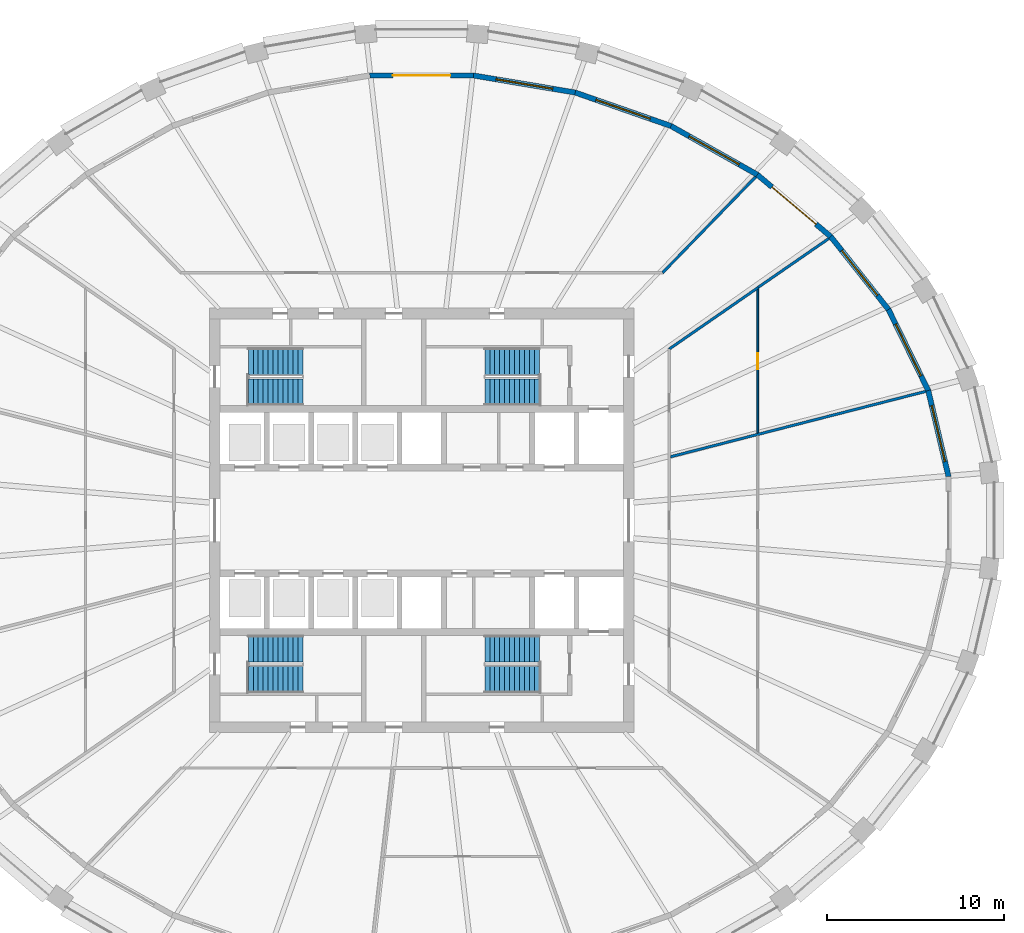
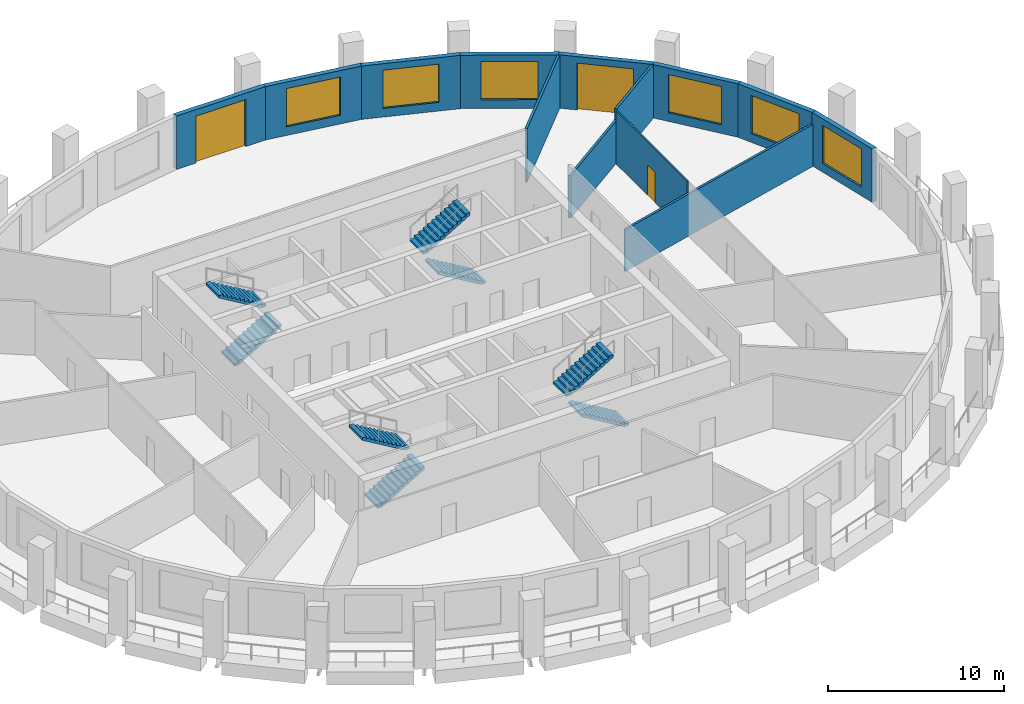
# One storey, part 7 of 10: 13 walls, 8 stair flights, 6 windows, 3 doors, 9 openings, 4 elements without a shape of their own.
"""IFC4 building model written with IfcOpenShell, lengths in metres."""

import ifcopenshell
import ifcopenshell.guid

model = None  # the IFC model being written
_history = None  # IfcOwnerHistory: only IFC2X3 demands one
_inside = {}  # id of a spatial element -> (the spatial element, [elements in it])
_under = {}  # id of a project, library or spatial element -> (it, [spatial elements below it])
_declared = {}  # id of a project -> (the project, [libraries it declares])
_typed = {}  # id of a type object -> (the type object, [elements of that type])
_made_of = {}  # id of a material, layer set ... -> (it, [elements and type objects made of it])


def new_model(schema):
    """Start an empty IFC model of exactly this schema.

    Asked for "IFC4X3", IfcOpenShell would pick the latest addendum, in which some entities
    have other attributes; the version numbers below select the first issue.
    IFC2X3 requires an IfcOwnerHistory on every rooted entity: one is made here for all.
    """
    global model, _history
    if schema == "IFC4X3":
        model = ifcopenshell.file(schema_version=(4, 3, 0, 0))
    else:
        model = ifcopenshell.file(schema=schema)
    _inside.clear()
    _under.clear()
    _declared.clear()
    _typed.clear()
    _made_of.clear()
    _history = None
    if model.schema == "IFC2X3":
        org = make("IfcOrganization", Name="unknown")
        user = make(
            "IfcPersonAndOrganization",
            ThePerson=make("IfcPerson", FamilyName="unknown"),
            TheOrganization=org,
        )
        app = make(
            "IfcApplication",
            ApplicationDeveloper=org,
            Version="unknown",
            ApplicationFullName="unknown",
            ApplicationIdentifier="unknown",
        )
        _history = make(
            "IfcOwnerHistory",
            OwningUser=user,
            OwningApplication=app,
            ChangeAction="ADDED",
            CreationDate=0,
        )
    return model


def make(cls, **values):
    """One entity of the class cls with the attributes given. An attribute that is None is left unset."""
    return model.create_entity(
        cls, **{name: value for name, value in values.items() if value is not None}
    )


def rooted(cls, **values):
    """An entity with a GlobalId (a new one), such as an element, a storey or a relation."""
    return make(cls, GlobalId=ifcopenshell.guid.new(), OwnerHistory=_history, **values)


def si_unit(unit_type, name, prefix=None):
    """IfcSIUnit, for example si_unit("LENGTHUNIT", "METRE", prefix="MILLI")."""
    return make("IfcSIUnit", UnitType=unit_type, Prefix=prefix, Name=name)


def assignment(units):
    """IfcUnitAssignment: the units of a project."""
    return None if units is None else make("IfcUnitAssignment", Units=units)


def point(xyz):
    """IfcCartesianPoint."""
    return None if xyz is None else make("IfcCartesianPoint", Coordinates=xyz)


def direction(xyz):
    """IfcDirection."""
    return None if xyz is None else make("IfcDirection", DirectionRatios=xyz)


def frame(location, z_axis=None, x_axis=None):
    """IfcAxis2Placement3D, a coordinate frame: its origin and axes. An axis left out is left unset."""
    return make(
        "IfcAxis2Placement3D",
        Location=point(location),
        Axis=direction(z_axis),
        RefDirection=direction(x_axis),
    )


def frame_2d(location, x_axis=None):
    """IfcAxis2Placement2D, a coordinate frame in the plane: its origin and x axis."""
    return make(
        "IfcAxis2Placement2D", Location=point(location), RefDirection=direction(x_axis)
    )


def origin():
    """The frame at (0, 0, 0) with its axes left unset."""
    return frame((0.0, 0.0, 0.0))


def place(relative_to, where):
    """IfcLocalPlacement: puts the frame where relative to a parent placement (None: the world)."""
    return make(
        "IfcLocalPlacement", PlacementRelTo=relative_to, RelativePlacement=where
    )


def context(
    kind, dimensions, precision=None, world=None, true_north=None, identifier=None
):
    """IfcGeometricRepresentationContext, for example the 3D "Model" context."""
    return make(
        "IfcGeometricRepresentationContext",
        ContextIdentifier=identifier,
        ContextType=kind,
        CoordinateSpaceDimension=dimensions,
        Precision=precision,
        WorldCoordinateSystem=world,
        TrueNorth=true_north,
    )


def subcontext(parent, identifier, kind, view, scale=None):
    """IfcGeometricRepresentationSubContext, for example "Body" below "Model"."""
    return make(
        "IfcGeometricRepresentationSubContext",
        ContextIdentifier=identifier,
        ContextType=kind,
        ParentContext=parent,
        TargetScale=scale,
        TargetView=view,
    )


def project(units=None, contexts=None):
    """IfcProject with its units and contexts."""
    return rooted(
        "IfcProject",
        Name="project",
        RepresentationContexts=contexts,
        UnitsInContext=assignment(units),
    )


def spatial(cls, under=None, at=None, **own):
    """A site, building, storey or space (cls), placed at a placement, below another one or the project."""
    s = rooted(cls, ObjectPlacement=at, **own)
    if under is not None:
        _under.setdefault(under.id(), (under, []))[1].append(s)
    return s


def polyline(points):
    """IfcPolyline through the points."""
    return make("IfcPolyline", Points=[point(p) for p in points])


def profile(cls, at=None, kind="AREA", **sizes):
    """A parametric profile (cls). Its sizes go by their IFC names, for example OverallWidth=200.0."""
    return make(cls, ProfileType=kind, Position=at, **sizes)


def rectangle(**sizes):
    """IfcRectangleProfileDef."""
    return profile("IfcRectangleProfileDef", **sizes)


def outline(outer, holes=None, kind="AREA"):
    """IfcArbitraryClosedProfileDef: a profile drawn as a closed curve; with holes, ...WithVoids."""
    if holes is None:
        return make("IfcArbitraryClosedProfileDef", ProfileType=kind, OuterCurve=outer)
    return make(
        "IfcArbitraryProfileDefWithVoids",
        ProfileType=kind,
        OuterCurve=outer,
        InnerCurves=holes,
    )


def extrude(swept, where, along, depth):
    """IfcExtrudedAreaSolid: the profile swept, set in the frame where, extruded along a direction by depth."""
    return make(
        "IfcExtrudedAreaSolid",
        SweptArea=swept,
        Position=where,
        ExtrudedDirection=direction(along),
        Depth=depth,
    )


def shape(context_of_items, identifier, shape_type, items):
    """IfcShapeRepresentation: the items that make up one representation, for example the "Body"."""
    return make(
        "IfcShapeRepresentation",
        ContextOfItems=context_of_items,
        RepresentationIdentifier=identifier,
        RepresentationType=shape_type,
        Items=items,
    )


def material(Name=None, Category=None):
    """IfcMaterial."""
    return make("IfcMaterial", Name=Name, Category=Category)


def layer(
    of_material, thickness, ventilated=None, Name=None, Category=None, Priority=None
):
    """IfcMaterialLayer: one layer of a wall or slab, of a material (None: an air gap)."""
    return make(
        "IfcMaterialLayer",
        Material=of_material,
        LayerThickness=thickness,
        IsVentilated=ventilated,
        Name=Name,
        Category=Category,
        Priority=Priority,
    )


def layer_set(layers, Name=None):
    """IfcMaterialLayerSet."""
    return make("IfcMaterialLayerSet", MaterialLayers=layers, LayerSetName=Name)


def made_of(thing, what):
    """Note that an element or type object is made of a material, layer set ...; save() writes the relation."""
    if what is not None:
        _made_of.setdefault(what.id(), (what, []))[1].append(thing)
    return thing


def type_object(cls, material=None, **own):
    """A type object (cls), such as IfcWallType, which elements share."""
    return made_of(rooted(cls, **own), material)


def element(
    cls,
    number,
    at=None,
    inside=None,
    cuts=None,
    type_object=None,
    material=None,
    context=None,
    identifier="Body",
    shape_type=None,
    held_by="IfcProductDefinitionShape",
    body=None,
    shapes=None,
    **own,
):
    """One element of the class cls, such as IfcWall. Its Tag is "e" and its number.

    at: its placement. inside: the storey or other place that contains it. cuts: it is an
    opening in that element (IfcRelVoidsElement). A single representation is given by context,
    identifier, shape_type and body (its items); several are given by shapes. held_by: the class
    of the entity that holds the representations. save() writes the other relations.
    """
    e = rooted(cls, Tag="e%d" % number, ObjectPlacement=at, **own)
    if body is not None:
        shapes = [shape(context, identifier, shape_type, body)]
    if shapes is not None:
        e.Representation = make(held_by, Representations=shapes)
    if inside is not None:
        _inside.setdefault(inside.id(), (inside, []))[1].append(e)
    if cuts is not None:
        rooted(
            "IfcRelVoidsElement", RelatingBuildingElement=cuts, RelatedOpeningElement=e
        )
    if type_object is not None:
        _typed.setdefault(type_object.id(), (type_object, []))[1].append(e)
    return made_of(e, material)


def fill(opening, filler):
    """IfcRelFillsElement: the door or window that sits in an opening."""
    return rooted(
        "IfcRelFillsElement",
        RelatingOpeningElement=opening,
        RelatedBuildingElement=filler,
    )


def aggregate(whole, parts):
    """IfcRelAggregates: a whole, such as a stair, and the parts it consists of."""
    return rooted("IfcRelAggregates", RelatingObject=whole, RelatedObjects=parts)


def save(model, path):
    """Write the relations noted so far, then the file.

    IfcRelAggregates (storeys below a building ...), IfcRelContainedInSpatialStructure (elements
    in a storey), IfcRelDefinesByType, IfcRelAssociatesMaterial and IfcRelDeclares: one each for
    every whole, place, type object, material and project.
    """
    for whole, parts in _under.values():
        aggregate(whole, parts)
    for where, things in _inside.values():
        rooted(
            "IfcRelContainedInSpatialStructure",
            RelatedElements=things,
            RelatingStructure=where,
        )
    for kind, things in _typed.values():
        rooted("IfcRelDefinesByType", RelatedObjects=things, RelatingType=kind)
    for what, things in _made_of.values():
        rooted("IfcRelAssociatesMaterial", RelatedObjects=things, RelatingMaterial=what)
    for by, libraries in _declared.values():
        rooted("IfcRelDeclares", RelatingContext=by, RelatedDefinitions=libraries)
    model.write(path)


model = new_model("IFC4")

# Units and contexts
model_context = context("Model", 3, precision=1e-05, world=origin(), true_north=direction((0.0, 1.0)))
body_context = subcontext(model_context, "Body", "Model", "MODEL_VIEW")
ifc_project = project(units=[si_unit("LENGTHUNIT", "METRE"), si_unit("AREAUNIT", "SQUARE_METRE"), si_unit("VOLUMEUNIT", "CUBIC_METRE"), si_unit("PLANEANGLEUNIT", "RADIAN"), si_unit("MASSUNIT", "GRAM", prefix="KILO")], contexts=[model_context])

# Site, building, storey
site_placement = place(None, origin())
site = spatial("IfcSite", under=ifc_project, at=site_placement, CompositionType="ELEMENT")
building_placement = place(site_placement, origin())
building = spatial("IfcBuilding", under=site, at=building_placement, Name="Halqa Exchange Tower", CompositionType="ELEMENT")
storey_placement = place(building_placement, frame((0.0, 0.0, 198.89990234375)))
storey = spatial("IfcBuildingStorey", under=building, at=storey_placement, Name="L45", CompositionType="ELEMENT", Elevation=198.89990234375)

# Walls
ifc_material_1 = material(Name="Fire-rated gypsum board")
ifc_layer_1 = layer(ifc_material_1, 0.14990234375)
ifc_layer_set_1 = layer_set([ifc_layer_1], Name="Fire-rated gypsum board")
wall_type_1 = type_object("IfcWallType", Name="Fire partition EI 60 150", PredefinedType="PARTITIONING", material=ifc_layer_set_1)
wall_1_placement = place(storey_placement, frame((13.597900390625, 13.977294921875, 0.0), z_axis=(0.0, 0.0, 1.0), x_axis=(0.696864554069, 0.717202756048, 0.0)))
element("IfcWall", 1, at=wall_1_placement, inside=storey, type_object=wall_type_1, Name="L45-PWL-019", PredefinedType="PARTITIONING", context=body_context, shape_type="SweptSolid", body=[
    extrude(outline(polyline([(7.5986328125, -0.074951171875), (7.5986328125, -0.073974609375), (7.59375, -0.002685546875), (7.5732421875, 0.074951171875), (5.69580078125, 0.074951171875), (3.818359375, 0.074951171875), (1.94091796875, 0.074951171875), (0.0634765625, 0.074951171875), (0.03173828125, 0.0), (0.0, -0.074951171875), (1.899658203125, -0.074951171875), (3.79931640625, -0.074951171875), (5.698974609375, -0.074951171875), (7.5986328125, -0.074951171875)])), origin(), (0.0, 0.0, 1.0), 3.7001953125),
])
wall_2_placement = place(storey_placement, frame((14.056640625, 3.594482421875, 0.0), z_axis=(0.0, 0.0, 1.0), x_axis=(0.96870063855, 0.248231893342, 0.0)))
element("IfcWall", 2, at=wall_2_placement, inside=storey, type_object=wall_type_1, Name="L45-PWL-023", PredefinedType="PARTITIONING", context=body_context, shape_type="SweptSolid", body=[
    extrude(outline(polyline([(0.0, -0.074951171875), (1.677490234375, -0.074951171875), (3.354736328125, -0.074951171875), (5.0322265625, -0.074951171875), (5.03271484375, -0.073486328125), (5.0380859375, -0.074951171875), (7.011474609375, -0.074951171875), (8.984619140625, -0.074951171875), (10.957763671875, -0.074951171875), (12.93115234375, -0.074951171875), (14.904296875, -0.074951171875), (14.904296875, 0.007568359375), (14.89013671875, 0.074951171875), (12.947021484375, 0.074951171875), (11.003662109375, 0.074951171875), (9.060546875, 0.074951171875), (7.1171875, 0.074951171875), (5.173828125, 0.074951171875), (5.173583984375, 0.073486328125), (5.168212890625, 0.074951171875), (3.458251953125, 0.074951171875), (1.748291015625, 0.074951171875), (0.0380859375, 0.074951171875), (0.0, -0.073974609375), (0.0, -0.074951171875)])), origin(), (0.0, 0.0, 1.0), 2.900146484375),
])
wall_3_placement = place(storey_placement, frame((13.9677734375, 9.66748046875, 0.0), z_axis=(0.0, 0.0, 1.0), x_axis=(0.822290630684, 0.569067762827, 0.0)))
element("IfcWall", 3, at=wall_3_placement, inside=storey, type_object=wall_type_1, Name="L45-PWL-024", PredefinedType="PARTITIONING", context=body_context, shape_type="SweptSolid", body=[
    extrude(outline(polyline([(6.159912109375, 0.074951171875), (4.619873046875, 0.074951171875), (3.080078125, 0.074951171875), (1.5400390625, 0.074951171875), (0.000244140625, 0.074951171875), (0.07861328125, -0.074951171875), (1.598876953125, -0.074951171875), (3.119384765625, -0.074951171875), (4.6396484375, -0.074951171875), (6.159912109375, -0.074951171875), (6.159912109375, 0.074951171875)])), origin(), (0.0, 0.0, 1.0), 2.947021484375),
])
wall_4_placement = place(storey_placement, frame((19.0283203125, 13.179443359375, 0.0), z_axis=(0.0, 0.0, 1.0), x_axis=(0.822732902653, 0.568428158074, 0.0)))
element("IfcWall", 4, at=wall_4_placement, inside=storey, type_object=wall_type_1, Name="L45-PWL-026", PredefinedType="PARTITIONING", context=body_context, shape_type="SweptSolid", body=[
    extrude(outline(polyline([(4.856689453125, -0.074951171875), (4.856689453125, -0.067626953125), (4.852294921875, 0.001708984375), (4.832275390625, 0.074951171875), (3.221435546875, 0.074951171875), (1.61083984375, 0.074951171875), (0.0, 0.074951171875), (0.0, -0.039794921875), (0.0, -0.074951171875), (1.618896484375, -0.074951171875), (3.23779296875, -0.074951171875), (4.856689453125, -0.074951171875)])), origin(), (0.0, 0.0, 1.0), 3.7001953125),
])

# Wall, opening, door
ifc_material_2 = material(Name="Gypsum board")
ifc_layer_2 = layer(ifc_material_2, 0.10009765625)
ifc_layer_set_2 = layer_set([ifc_layer_2], Name="Gypsum board")
wall_type_2 = type_object("IfcWallType", Name="Partition 100 gypsum", PredefinedType="PARTITIONING", material=ifc_layer_set_2)
wall_5_placement = place(storey_placement, frame((19.0, 13.093017578125, 0.0), z_axis=(0.0, 0.0, 1.0), x_axis=(0.0, -1.0, 0.0)))
wall_5 = element("IfcWall", 5, at=wall_5_placement, inside=storey, type_object=wall_type_2, Name="L45-PWL-029", PredefinedType="PARTITIONING", context=body_context, shape_type="SweptSolid", body=[
    extrude(outline(polyline([(8.1669921875, -0.050048828125), (8.1669921875, -0.04931640625), (8.1416015625, 0.050048828125), (6.51318359375, 0.050048828125), (4.885009765625, 0.050048828125), (3.256591796875, 0.050048828125), (1.62841796875, 0.050048828125), (0.0, 0.050048828125), (0.0, 0.049560546875), (0.06884765625, -0.050048828125), (1.6884765625, -0.050048828125), (3.30810546875, -0.050048828125), (4.927734375, -0.050048828125), (6.54736328125, -0.050048828125), (8.1669921875, -0.050048828125)])), origin(), (0.0, 0.0, 1.0), 3.7001953125),
])
opening_1_placement = place(wall_5_placement, frame((3.637939453125, 0.0, 0.0)))
opening_1 = element("IfcOpeningElement", 6, at=opening_1_placement, cuts=wall_5, Name="Opening 13-18", PredefinedType="OPENING", context=body_context, shape_type="SweptSolid", body=[
    extrude(rectangle(XDim=0.89990234375, YDim=2.10009765625, at=frame_2d((0.449951171875, 1.050048828125))), frame((0.0, 0.06201171875, 0.0), z_axis=(0.0, -1.0, 0.0), x_axis=(1.0, 0.0, 0.0)), (0.0, 0.0, 1.0), 0.1240234375),
])
ifc_material_3 = material(Name="Timber door leaf", Category="wood")
door_type_1 = type_object("IfcDoorType", Name="Door 900 x 2100", OperationType="SINGLE_SWING_LEFT", PredefinedType="DOOR", material=ifc_material_3)
door_1_placement = place(opening_1_placement, frame((0.89990234375, 0.0, 0.0), z_axis=(0.0, 0.0, 1.0), x_axis=(-1.0, 0.0, 0.0)))
door_1 = element("IfcDoor", 7, at=door_1_placement, inside=storey, type_object=door_type_1, Name="L45-IDR-018", OperationType="SINGLE_SWING_RIGHT", OverallHeight=2.10009765625, OverallWidth=0.89990234375, PredefinedType="DOOR", context=body_context, shape_type="SweptSolid", body=[
    extrude(rectangle(XDim=0.89990234375, YDim=2.10009765625, at=frame_2d((0.449951171875, 1.050048828125))), frame((0.0, 0.02490234375, 0.0), z_axis=(0.0, -1.0, 0.0), x_axis=(1.0, 0.0, 0.0)), (0.0, 0.0, 1.0), 0.050048828125),
])
fill(opening_1, door_1)

# Wall, opening, window
ifc_material_4 = material(Name="Limestone cladding", Category="masonry")
ifc_layer_3 = layer(ifc_material_4, 0.0400390625)
ifc_material_5 = material(Name="Ventilated cavity")
ifc_layer_4 = layer(ifc_material_5, 0.030029296875, ventilated=True)
ifc_material_6 = material(Name="Mineral wool insulation")
ifc_layer_5 = layer(ifc_material_6, 0.10009765625)
ifc_material_7 = material(Name="Concrete C30/37", Category="concrete")
ifc_layer_6 = layer(ifc_material_7, 0.10009765625)
ifc_material_8 = material(Name="Internal plaster")
ifc_layer_7 = layer(ifc_material_8, 0.030029296875)
ifc_layer_set_3 = layer_set([ifc_layer_3, ifc_layer_4, ifc_layer_5, ifc_layer_6, ifc_layer_7], Name="Stone-faced insulated wall 300")
wall_type_3 = type_object("IfcWallType", Name="Stone-faced insulated wall 300", PredefinedType="STANDARD", material=ifc_layer_set_3)
wall_6_placement = place(storey_placement, frame((29.785400390625, 2.47998046875, 0.0), z_axis=(0.0, 0.0, 1.0), x_axis=(-0.229455912692, 0.97331905567, 0.0)))
wall_6 = element("IfcWall", 8, at=wall_6_placement, inside=storey, type_object=wall_type_3, Name="Glass-line wall 1", PredefinedType="STANDARD", context=body_context, shape_type="SweptSolid", body=[
    extrude(outline(polyline([(-0.017333984375, -0.14990234375), (5.014404296875, -0.14990234375), (4.980712890625, 0.14990234375), (0.017333984375, 0.14990234375), (-0.017333984375, -0.14990234375)])), origin(), (0.0, 0.0, 1.0), 3.7001953125),
])
opening_2_placement = place(wall_6_placement, frame((0.873779296875, 0.0, 0.60009765625)))
opening_2 = element("IfcOpeningElement", 9, at=opening_2_placement, cuts=wall_6, Name="Opening W-F3-01", PredefinedType="OPENING", context=body_context, shape_type="SweptSolid", body=[
    extrude(rectangle(XDim=3.25, YDim=2.64990234375, at=frame_2d((1.625, 1.324951171875))), frame((0.0, 0.162109375, 0.0), z_axis=(0.0, -1.0, 0.0), x_axis=(1.0, 0.0, 0.0)), (0.0, 0.0, 1.0), 0.323974609375),
])
ifc_material_9 = material(Name="Clear low-emissivity glass in aluminium frame", Category="aluminium")
window_type = type_object("IfcWindowType", Name="Fixed clear glazed window 3250 x 2650", PartitioningType="TRIPLE_PANEL_VERTICAL", PredefinedType="WINDOW", material=ifc_material_9)
window_1_placement = place(opening_2_placement, origin())
window_1 = element("IfcWindow", 10, at=window_1_placement, inside=storey, type_object=window_type, Name="Window 3", OverallHeight=2.64990234375, OverallWidth=3.25, PartitioningType="TRIPLE_PANEL_VERTICAL", PredefinedType="WINDOW", context=body_context, shape_type="SweptSolid", body=[
    extrude(rectangle(XDim=3.25, YDim=2.64990234375, at=frame_2d((1.625, 1.324951171875))), frame((0.0, 0.030029296875, 0.0), z_axis=(0.0, -1.0, 0.0), x_axis=(1.0, 0.0, 0.0)), (0.0, 0.0, 1.0), 0.06005859375),
])
fill(opening_2, window_1)

wall_7_placement = place(storey_placement, frame((28.638671875, 7.34423828125, 0.0), z_axis=(0.0, 0.0, 1.0), x_axis=(-0.440694221881, 0.897657285829, 0.0)))
wall_7 = element("IfcWall", 11, at=wall_7_placement, inside=storey, type_object=wall_type_3, Name="Glass-line wall 2", PredefinedType="STANDARD", context=body_context, shape_type="SweptSolid", body=[
    extrude(outline(polyline([(-0.016845703125, -0.14990234375), (5.118408203125, -0.14990234375), (5.086181640625, 0.14990234375), (0.016845703125, 0.14990234375), (-0.016845703125, -0.14990234375)])), origin(), (0.0, 0.0, 1.0), 3.7001953125),
])
opening_3_placement = place(wall_7_placement, frame((0.926025390625, 0.0, 0.60009765625)))
opening_3 = element("IfcOpeningElement", 12, at=opening_3_placement, cuts=wall_7, Name="Opening W-F3-02", PredefinedType="OPENING", context=body_context, shape_type="SweptSolid", body=[
    extrude(rectangle(XDim=3.25, YDim=2.64990234375, at=frame_2d((1.625, 1.324951171875))), frame((0.0, 0.162109375, 0.0), z_axis=(0.0, -1.0, 0.0), x_axis=(1.0, 0.0, 0.0)), (0.0, 0.0, 1.0), 0.323974609375),
])
window_2_placement = place(opening_3_placement, origin())
window_2 = element("IfcWindow", 13, at=window_2_placement, inside=storey, type_object=window_type, Name="Window 3", OverallHeight=2.64990234375, OverallWidth=3.25, PartitioningType="TRIPLE_PANEL_VERTICAL", PredefinedType="WINDOW", context=body_context, shape_type="SweptSolid", body=[
    extrude(rectangle(XDim=3.25, YDim=2.64990234375, at=frame_2d((1.625, 1.324951171875))), frame((0.0, 0.030029296875, 0.0), z_axis=(0.0, -1.0, 0.0), x_axis=(1.0, 0.0, 0.0)), (0.0, 0.0, 1.0), 0.06005859375),
])
fill(opening_3, window_2)

wall_8_placement = place(storey_placement, frame((26.39013671875, 11.92431640625, 0.0), z_axis=(0.0, 0.0, 1.0), x_axis=(-0.620829074232, 0.783945955145, 0.0)))
wall_8 = element("IfcWall", 14, at=wall_8_placement, inside=storey, type_object=wall_type_3, Name="Glass-line wall 3", PredefinedType="STANDARD", context=body_context, shape_type="SweptSolid", body=[
    extrude(outline(polyline([(-0.01611328125, -0.14990234375), (5.27001953125, -0.14990234375), (5.23974609375, 0.14990234375), (0.01611328125, 0.14990234375), (-0.01611328125, -0.14990234375)])), origin(), (0.0, 0.0, 1.0), 3.7001953125),
])
opening_4_placement = place(wall_8_placement, frame((1.002685546875, 0.0, 0.60009765625)))
opening_4 = element("IfcOpeningElement", 15, at=opening_4_placement, cuts=wall_8, Name="Opening W-F3-03", PredefinedType="OPENING", context=body_context, shape_type="SweptSolid", body=[
    extrude(rectangle(XDim=3.25, YDim=2.64990234375, at=frame_2d((1.625, 1.324951171875))), frame((0.0, 0.162109375, 0.0), z_axis=(0.0, -1.0, 0.0), x_axis=(1.0, 0.0, 0.0)), (0.0, 0.0, 1.0), 0.323974609375),
])
window_3_placement = place(opening_4_placement, origin())
window_3 = element("IfcWindow", 16, at=window_3_placement, inside=storey, type_object=window_type, Name="Window 3", OverallHeight=2.64990234375, OverallWidth=3.25, PartitioningType="TRIPLE_PANEL_VERTICAL", PredefinedType="WINDOW", context=body_context, shape_type="SweptSolid", body=[
    extrude(rectangle(XDim=3.25, YDim=2.64990234375, at=frame_2d((1.625, 1.324951171875))), frame((0.0, 0.030029296875, 0.0), z_axis=(0.0, -1.0, 0.0), x_axis=(1.0, 0.0, 0.0)), (0.0, 0.0, 1.0), 0.06005859375),
])
fill(opening_4, window_3)

# Wall, opening, door
wall_9_placement = place(storey_placement, frame((23.127685546875, 16.0439453125, 0.0), z_axis=(0.0, 0.0, 1.0), x_axis=(-0.764330261608, 0.644824977176, 0.0)))
wall_9 = element("IfcWall", 17, at=wall_9_placement, inside=storey, type_object=wall_type_3, Name="Glass-line wall 4", PredefinedType="STANDARD", context=body_context, shape_type="SweptSolid", body=[
    extrude(outline(polyline([(-0.01513671875, -0.14990234375), (5.4443359375, -0.14990234375), (5.416015625, 0.14990234375), (0.01513671875, 0.14990234375), (-0.01513671875, -0.14990234375)])), origin(), (0.0, 0.0, 1.0), 3.7001953125),
])
opening_5_placement = place(wall_9_placement, frame((1.090087890625, 0.0, 0.0)))
opening_5 = element("IfcOpeningElement", 18, at=opening_5_placement, cuts=wall_9, Name="Opening LG-F3-01", PredefinedType="OPENING", context=body_context, shape_type="SweptSolid", body=[
    extrude(rectangle(XDim=3.25, YDim=3.25, at=frame_2d((1.625, 1.625))), frame((0.0, 0.162109375, 0.0), z_axis=(0.0, -1.0, 0.0), x_axis=(1.0, 0.0, 0.0)), (0.0, 0.0, 1.0), 0.323974609375),
])
door_type_2 = type_object("IfcDoorType", Name="Glazed sliding loggia door 3250 x 3250", OperationType="DOUBLE_DOOR_SLIDING", PredefinedType="DOOR", material=ifc_material_9)
door_2_placement = place(opening_5_placement, origin())
door_2 = element("IfcDoor", 19, at=door_2_placement, inside=storey, type_object=door_type_2, Name="Loggia door 1", OperationType="DOUBLE_DOOR_SLIDING", OverallHeight=3.25, OverallWidth=3.25, PredefinedType="DOOR", context=body_context, shape_type="SweptSolid", body=[
    extrude(rectangle(XDim=3.25, YDim=3.25, at=frame_2d((1.625, 1.625))), frame((0.0, 0.02490234375, 0.0), z_axis=(0.0, -1.0, 0.0), x_axis=(1.0, 0.0, 0.0)), (0.0, 0.0, 1.0), 0.050048828125),
])
fill(opening_5, door_2)

# Wall, opening, window
wall_10_placement = place(storey_placement, frame((18.977294921875, 19.54541015625, 0.0), z_axis=(0.0, 0.0, 1.0), x_axis=(-0.871083701819, 0.491134588912, 0.0)))
wall_10 = element("IfcWall", 20, at=wall_10_placement, inside=storey, type_object=wall_type_3, Name="Glass-line wall 5", PredefinedType="STANDARD", context=body_context, shape_type="SweptSolid", body=[
    extrude(outline(polyline([(-0.01416015625, -0.14990234375), (5.61279296875, -0.14990234375), (5.5859375, 0.14990234375), (0.01416015625, 0.14990234375), (-0.01416015625, -0.14990234375)])), origin(), (0.0, 0.0, 1.0), 3.7001953125),
])
opening_6_placement = place(wall_10_placement, frame((1.1748046875, 0.0, 0.60009765625)))
opening_6 = element("IfcOpeningElement", 21, at=opening_6_placement, cuts=wall_10, Name="Opening W-F3-05", PredefinedType="OPENING", context=body_context, shape_type="SweptSolid", body=[
    extrude(rectangle(XDim=3.25, YDim=2.64990234375, at=frame_2d((1.625, 1.324951171875))), frame((0.0, 0.162109375, 0.0), z_axis=(0.0, -1.0, 0.0), x_axis=(1.0, 0.0, 0.0)), (0.0, 0.0, 1.0), 0.323974609375),
])
window_4_placement = place(opening_6_placement, origin())
window_4 = element("IfcWindow", 22, at=window_4_placement, inside=storey, type_object=window_type, Name="Window 3", OverallHeight=2.64990234375, OverallWidth=3.25, PartitioningType="TRIPLE_PANEL_VERTICAL", PredefinedType="WINDOW", context=body_context, shape_type="SweptSolid", body=[
    extrude(rectangle(XDim=3.25, YDim=2.64990234375, at=frame_2d((1.625, 1.324951171875))), frame((0.0, 0.030029296875, 0.0), z_axis=(0.0, -1.0, 0.0), x_axis=(1.0, 0.0, 0.0)), (0.0, 0.0, 1.0), 0.06005859375),
])
fill(opening_6, window_4)

wall_11_placement = place(storey_placement, frame((14.099853515625, 22.29541015625, 0.0), z_axis=(0.0, 0.0, 1.0), x_axis=(-0.944020060936, 0.329888048511, 0.0)))
wall_11 = element("IfcWall", 23, at=wall_11_placement, inside=storey, type_object=wall_type_3, Name="Glass-line wall 6", PredefinedType="STANDARD", context=body_context, shape_type="SweptSolid", body=[
    extrude(outline(polyline([(-0.013427734375, -0.14990234375), (5.751953125, -0.14990234375), (5.7265625, 0.14990234375), (0.013427734375, 0.14990234375), (-0.013427734375, -0.14990234375)])), origin(), (0.0, 0.0, 1.0), 3.7001953125),
])
opening_7_placement = place(wall_11_placement, frame((1.24462890625, 0.0, 0.60009765625)))
opening_7 = element("IfcOpeningElement", 24, at=opening_7_placement, cuts=wall_11, Name="Opening W-F3-06", PredefinedType="OPENING", context=body_context, shape_type="SweptSolid", body=[
    extrude(rectangle(XDim=3.25, YDim=2.64990234375, at=frame_2d((1.625, 1.324951171875))), frame((0.0, 0.162109375, 0.0), z_axis=(0.0, -1.0, 0.0), x_axis=(1.0, 0.0, 0.0)), (0.0, 0.0, 1.0), 0.323974609375),
])
window_5_placement = place(opening_7_placement, origin())
window_5 = element("IfcWindow", 25, at=window_5_placement, inside=storey, type_object=window_type, Name="Window 3", OverallHeight=2.64990234375, OverallWidth=3.25, PartitioningType="TRIPLE_PANEL_VERTICAL", PredefinedType="WINDOW", context=body_context, shape_type="SweptSolid", body=[
    extrude(rectangle(XDim=3.25, YDim=2.64990234375, at=frame_2d((1.625, 1.324951171875))), frame((0.0, 0.030029296875, 0.0), z_axis=(0.0, -1.0, 0.0), x_axis=(1.0, 0.0, 0.0)), (0.0, 0.0, 1.0), 0.06005859375),
])
fill(opening_7, window_5)

wall_12_placement = place(storey_placement, frame((8.681884765625, 24.188720703125, 0.0), z_axis=(0.0, 0.0, 1.0), x_axis=(-0.986207709048, 0.165512400181, 0.0)))
wall_12 = element("IfcWall", 26, at=wall_12_placement, inside=storey, type_object=wall_type_3, Name="Glass-line wall 7", PredefinedType="STANDARD", context=body_context, shape_type="SweptSolid", body=[
    extrude(outline(polyline([(-0.0126953125, -0.14990234375), (5.84326171875, -0.14990234375), (5.818359375, 0.14990234375), (0.0126953125, 0.14990234375), (-0.0126953125, -0.14990234375)])), origin(), (0.0, 0.0, 1.0), 3.7001953125),
])
opening_8_placement = place(wall_12_placement, frame((1.29052734375, 0.0, 0.60009765625)))
opening_8 = element("IfcOpeningElement", 27, at=opening_8_placement, cuts=wall_12, Name="Opening W-F3-07", PredefinedType="OPENING", context=body_context, shape_type="SweptSolid", body=[
    extrude(rectangle(XDim=3.25, YDim=2.64990234375, at=frame_2d((1.625, 1.324951171875))), frame((0.0, 0.162109375, 0.0), z_axis=(0.0, -1.0, 0.0), x_axis=(1.0, 0.0, 0.0)), (0.0, 0.0, 1.0), 0.323974609375),
])
window_6_placement = place(opening_8_placement, origin())
window_6 = element("IfcWindow", 28, at=window_6_placement, inside=storey, type_object=window_type, Name="Window 3", OverallHeight=2.64990234375, OverallWidth=3.25, PartitioningType="TRIPLE_PANEL_VERTICAL", PredefinedType="WINDOW", context=body_context, shape_type="SweptSolid", body=[
    extrude(rectangle(XDim=3.25, YDim=2.64990234375, at=frame_2d((1.625, 1.324951171875))), frame((0.0, 0.030029296875, 0.0), z_axis=(0.0, -1.0, 0.0), x_axis=(1.0, 0.0, 0.0)), (0.0, 0.0, 1.0), 0.06005859375),
])
fill(opening_8, window_6)

# Wall, opening, door
wall_13_placement = place(storey_placement, frame((2.931396484375, 25.15380859375, 0.0), z_axis=(0.0, 0.0, 1.0), x_axis=(-1.0, 0.0, 0.0)))
wall_13 = element("IfcWall", 29, at=wall_13_placement, inside=storey, type_object=wall_type_3, Name="Glass-line wall 8", PredefinedType="STANDARD", context=body_context, shape_type="SweptSolid", body=[
    extrude(outline(polyline([(-0.012451171875, -0.14990234375), (5.875244140625, -0.14990234375), (5.850341796875, 0.14990234375), (0.012451171875, 0.14990234375), (-0.012451171875, -0.14990234375)])), origin(), (0.0, 0.0, 1.0), 3.7001953125),
])
opening_9_placement = place(wall_13_placement, frame((1.306396484375, 0.0, 0.0)))
opening_9 = element("IfcOpeningElement", 30, at=opening_9_placement, cuts=wall_13, Name="Opening LG-F3-02", PredefinedType="OPENING", context=body_context, shape_type="SweptSolid", body=[
    extrude(rectangle(XDim=3.25, YDim=3.25, at=frame_2d((1.625, 1.625))), frame((0.0, 0.162109375, 0.0), z_axis=(0.0, -1.0, 0.0), x_axis=(1.0, 0.0, 0.0)), (0.0, 0.0, 1.0), 0.323974609375),
])
door_3_placement = place(opening_9_placement, origin())
door_3 = element("IfcDoor", 31, at=door_3_placement, inside=storey, type_object=door_type_2, Name="Loggia door 2", OperationType="DOUBLE_DOOR_SLIDING", OverallHeight=3.25, OverallWidth=3.25, PredefinedType="DOOR", context=body_context, shape_type="SweptSolid", body=[
    extrude(rectangle(XDim=3.25, YDim=3.25, at=frame_2d((1.625, 1.625))), frame((0.0, 0.02490234375, 0.0), z_axis=(0.0, -1.0, 0.0), x_axis=(1.0, 0.0, 0.0)), (0.0, 0.0, 1.0), 0.050048828125),
])
fill(opening_9, door_3)

# Stair, stair flights
stair_type = type_object("IfcStairType", Name="Exit stair 1500 wide", PredefinedType="HALF_TURN_STAIR", material=ifc_material_7)
stair_1_placement = place(storey_placement, origin())
stair_1 = element("IfcStair", 32, at=stair_1_placement, inside=storey, type_object=stair_type, Name="Exit stair ST1", PredefinedType="HALF_TURN_STAIR")
stair_flight_type = type_object("IfcStairFlightType", Name="Stair flight 1500 wide", PredefinedType="STRAIGHT", material=ifc_material_7)
stair_flight_1_placement = place(storey_placement, frame((-9.800048828125, 7.25, 0.0), z_axis=(0.0, 0.0, 1.0), x_axis=(1.0, 0.0, 0.0)))
stair_flight_1 = element("IfcStairFlight", 33, at=stair_flight_1_placement, type_object=stair_flight_type, Name="ST1 flight 1", NumberOfRisers=12, NumberOfTreads=11, PredefinedType="STRAIGHT", RiserHeight=0.166666667, TreadLength=0.28, context=body_context, shape_type="SweptSolid", body=[
    extrude(outline(polyline([(0.0, 0.0), (0.0, 0.166748046875), (0.280029296875, 0.166748046875), (0.280029296875, 0.333251953125), (0.56005859375, 0.333251953125), (0.56005859375, 0.5), (0.840087890625, 0.5), (0.840087890625, 0.666748046875), (1.1201171875, 0.666748046875), (1.1201171875, 0.833251953125), (1.39990234375, 0.833251953125), (1.39990234375, 1.0), (1.679931640625, 1.0), (1.679931640625, 1.166748046875), (1.9599609375, 1.166748046875), (1.9599609375, 1.333251953125), (2.239990234375, 1.333251953125), (2.239990234375, 1.5), (2.52001953125, 1.5), (2.52001953125, 1.666748046875), (2.800048828125, 1.666748046875), (2.800048828125, 1.833251953125), (3.080078125, 1.833251953125), (3.080078125, 2.0), (3.080078125, 1.658935546875), (0.29296875, 0.0), (0.0, 0.0)])), frame((0.0, 0.75, 0.0), z_axis=(0.0, -1.0, 0.0), x_axis=(1.0, 0.0, 0.0)), (0.0, 0.0, 1.0), 1.5),
])
stair_flight_2_placement = place(storey_placement, frame((-6.719970703125, 9.0, 2.0), z_axis=(0.0, 0.0, 1.0), x_axis=(-1.0, 0.0, 0.0)))
stair_flight_2 = element("IfcStairFlight", 34, at=stair_flight_2_placement, type_object=stair_flight_type, Name="ST1 flight 2", NumberOfRisers=12, NumberOfTreads=11, PredefinedType="STRAIGHT", RiserHeight=0.166666667, TreadLength=0.28, context=body_context, shape_type="SweptSolid", body=[
    extrude(outline(polyline([(0.0, 0.0), (0.0, 0.166748046875), (0.280029296875, 0.166748046875), (0.280029296875, 0.333251953125), (0.56005859375, 0.333251953125), (0.56005859375, 0.5), (0.840087890625, 0.5), (0.840087890625, 0.666748046875), (1.1201171875, 0.666748046875), (1.1201171875, 0.833251953125), (1.39990234375, 0.833251953125), (1.39990234375, 1.0), (1.679931640625, 1.0), (1.679931640625, 1.166748046875), (1.9599609375, 1.166748046875), (1.9599609375, 1.333251953125), (2.239990234375, 1.333251953125), (2.239990234375, 1.5), (2.52001953125, 1.5), (2.52001953125, 1.666748046875), (2.800048828125, 1.666748046875), (2.800048828125, 1.833251953125), (3.080078125, 1.833251953125), (3.080078125, 2.0), (3.080078125, 1.658935546875), (0.29296875, 0.0), (0.0, 0.0)])), frame((0.0, 0.75, 0.0), z_axis=(0.0, -1.0, 0.0), x_axis=(1.0, 0.0, 0.0)), (0.0, 0.0, 1.0), 1.5),
])
aggregate(stair_1, [stair_flight_1, stair_flight_2])

stair_2_placement = place(storey_placement, origin())
stair_2 = element("IfcStair", 35, at=stair_2_placement, inside=storey, type_object=stair_type, Name="Exit stair ST2", PredefinedType="HALF_TURN_STAIR")
stair_flight_3_placement = place(storey_placement, frame((6.64990234375, 7.25, 0.0), z_axis=(0.0, 0.0, 1.0), x_axis=(-1.0, 0.0, 0.0)))
stair_flight_3 = element("IfcStairFlight", 36, at=stair_flight_3_placement, type_object=stair_flight_type, Name="ST2 flight 1", NumberOfRisers=12, NumberOfTreads=11, PredefinedType="STRAIGHT", RiserHeight=0.166666667, TreadLength=0.28, context=body_context, shape_type="SweptSolid", body=[
    extrude(outline(polyline([(0.0, 0.0), (0.0, 0.166748046875), (0.280029296875, 0.166748046875), (0.280029296875, 0.333251953125), (0.56005859375, 0.333251953125), (0.56005859375, 0.5), (0.840087890625, 0.5), (0.840087890625, 0.666748046875), (1.1201171875, 0.666748046875), (1.1201171875, 0.833251953125), (1.39990234375, 0.833251953125), (1.39990234375, 1.0), (1.679931640625, 1.0), (1.679931640625, 1.166748046875), (1.9599609375, 1.166748046875), (1.9599609375, 1.333251953125), (2.239990234375, 1.333251953125), (2.239990234375, 1.5), (2.52001953125, 1.5), (2.52001953125, 1.666748046875), (2.800048828125, 1.666748046875), (2.800048828125, 1.833251953125), (3.080078125, 1.833251953125), (3.080078125, 2.0), (3.080078125, 1.658935546875), (0.29296875, 0.0), (0.0, 0.0)])), frame((0.0, 0.75, 0.0), z_axis=(0.0, -1.0, 0.0), x_axis=(1.0, 0.0, 0.0)), (0.0, 0.0, 1.0), 1.5),
])
stair_flight_4_placement = place(storey_placement, frame((3.570068359375, 9.0, 2.0), z_axis=(0.0, 0.0, 1.0), x_axis=(1.0, 0.0, 0.0)))
stair_flight_4 = element("IfcStairFlight", 37, at=stair_flight_4_placement, type_object=stair_flight_type, Name="ST2 flight 2", NumberOfRisers=12, NumberOfTreads=11, PredefinedType="STRAIGHT", RiserHeight=0.166666667, TreadLength=0.28, context=body_context, shape_type="SweptSolid", body=[
    extrude(outline(polyline([(0.0, 0.0), (0.0, 0.166748046875), (0.280029296875, 0.166748046875), (0.280029296875, 0.333251953125), (0.56005859375, 0.333251953125), (0.56005859375, 0.5), (0.840087890625, 0.5), (0.840087890625, 0.666748046875), (1.1201171875, 0.666748046875), (1.1201171875, 0.833251953125), (1.39990234375, 0.833251953125), (1.39990234375, 1.0), (1.679931640625, 1.0), (1.679931640625, 1.166748046875), (1.9599609375, 1.166748046875), (1.9599609375, 1.333251953125), (2.239990234375, 1.333251953125), (2.239990234375, 1.5), (2.52001953125, 1.5), (2.52001953125, 1.666748046875), (2.800048828125, 1.666748046875), (2.800048828125, 1.833251953125), (3.080078125, 1.833251953125), (3.080078125, 2.0), (3.080078125, 1.658935546875), (0.29296875, 0.0), (0.0, 0.0)])), frame((0.0, 0.75, 0.0), z_axis=(0.0, -1.0, 0.0), x_axis=(1.0, 0.0, 0.0)), (0.0, 0.0, 1.0), 1.5),
])
aggregate(stair_2, [stair_flight_3, stair_flight_4])

stair_3_placement = place(storey_placement, origin())
stair_3 = element("IfcStair", 38, at=stair_3_placement, inside=storey, type_object=stair_type, Name="Exit stair ST3", PredefinedType="HALF_TURN_STAIR")
stair_flight_5_placement = place(storey_placement, frame((-9.800048828125, -9.0, 0.0), z_axis=(0.0, 0.0, 1.0), x_axis=(1.0, 0.0, 0.0)))
stair_flight_5 = element("IfcStairFlight", 39, at=stair_flight_5_placement, type_object=stair_flight_type, Name="ST3 flight 1", NumberOfRisers=12, NumberOfTreads=11, PredefinedType="STRAIGHT", RiserHeight=0.166666667, TreadLength=0.28, context=body_context, shape_type="SweptSolid", body=[
    extrude(outline(polyline([(0.0, 0.0), (0.0, 0.166748046875), (0.280029296875, 0.166748046875), (0.280029296875, 0.333251953125), (0.56005859375, 0.333251953125), (0.56005859375, 0.5), (0.840087890625, 0.5), (0.840087890625, 0.666748046875), (1.1201171875, 0.666748046875), (1.1201171875, 0.833251953125), (1.39990234375, 0.833251953125), (1.39990234375, 1.0), (1.679931640625, 1.0), (1.679931640625, 1.166748046875), (1.9599609375, 1.166748046875), (1.9599609375, 1.333251953125), (2.239990234375, 1.333251953125), (2.239990234375, 1.5), (2.52001953125, 1.5), (2.52001953125, 1.666748046875), (2.800048828125, 1.666748046875), (2.800048828125, 1.833251953125), (3.080078125, 1.833251953125), (3.080078125, 2.0), (3.080078125, 1.658935546875), (0.29296875, 0.0), (0.0, 0.0)])), frame((0.0, 0.75, 0.0), z_axis=(0.0, -1.0, 0.0), x_axis=(1.0, 0.0, 0.0)), (0.0, 0.0, 1.0), 1.5),
])
stair_flight_6_placement = place(storey_placement, frame((-6.719970703125, -7.25, 2.0), z_axis=(0.0, 0.0, 1.0), x_axis=(-1.0, 0.0, 0.0)))
stair_flight_6 = element("IfcStairFlight", 40, at=stair_flight_6_placement, type_object=stair_flight_type, Name="ST3 flight 2", NumberOfRisers=12, NumberOfTreads=11, PredefinedType="STRAIGHT", RiserHeight=0.166666667, TreadLength=0.28, context=body_context, shape_type="SweptSolid", body=[
    extrude(outline(polyline([(0.0, 0.0), (0.0, 0.166748046875), (0.280029296875, 0.166748046875), (0.280029296875, 0.333251953125), (0.56005859375, 0.333251953125), (0.56005859375, 0.5), (0.840087890625, 0.5), (0.840087890625, 0.666748046875), (1.1201171875, 0.666748046875), (1.1201171875, 0.833251953125), (1.39990234375, 0.833251953125), (1.39990234375, 1.0), (1.679931640625, 1.0), (1.679931640625, 1.166748046875), (1.9599609375, 1.166748046875), (1.9599609375, 1.333251953125), (2.239990234375, 1.333251953125), (2.239990234375, 1.5), (2.52001953125, 1.5), (2.52001953125, 1.666748046875), (2.800048828125, 1.666748046875), (2.800048828125, 1.833251953125), (3.080078125, 1.833251953125), (3.080078125, 2.0), (3.080078125, 1.658935546875), (0.29296875, 0.0), (0.0, 0.0)])), frame((0.0, 0.75, 0.0), z_axis=(0.0, -1.0, 0.0), x_axis=(1.0, 0.0, 0.0)), (0.0, 0.0, 1.0), 1.5),
])
aggregate(stair_3, [stair_flight_5, stair_flight_6])

stair_4_placement = place(storey_placement, origin())
stair_4 = element("IfcStair", 41, at=stair_4_placement, inside=storey, type_object=stair_type, Name="Exit stair ST4", PredefinedType="HALF_TURN_STAIR")
stair_flight_7_placement = place(storey_placement, frame((6.64990234375, -9.0, 0.0), z_axis=(0.0, 0.0, 1.0), x_axis=(-1.0, 0.0, 0.0)))
stair_flight_7 = element("IfcStairFlight", 42, at=stair_flight_7_placement, type_object=stair_flight_type, Name="ST4 flight 1", NumberOfRisers=12, NumberOfTreads=11, PredefinedType="STRAIGHT", RiserHeight=0.166666667, TreadLength=0.28, context=body_context, shape_type="SweptSolid", body=[
    extrude(outline(polyline([(0.0, 0.0), (0.0, 0.166748046875), (0.280029296875, 0.166748046875), (0.280029296875, 0.333251953125), (0.56005859375, 0.333251953125), (0.56005859375, 0.5), (0.840087890625, 0.5), (0.840087890625, 0.666748046875), (1.1201171875, 0.666748046875), (1.1201171875, 0.833251953125), (1.39990234375, 0.833251953125), (1.39990234375, 1.0), (1.679931640625, 1.0), (1.679931640625, 1.166748046875), (1.9599609375, 1.166748046875), (1.9599609375, 1.333251953125), (2.239990234375, 1.333251953125), (2.239990234375, 1.5), (2.52001953125, 1.5), (2.52001953125, 1.666748046875), (2.800048828125, 1.666748046875), (2.800048828125, 1.833251953125), (3.080078125, 1.833251953125), (3.080078125, 2.0), (3.080078125, 1.658935546875), (0.29296875, 0.0), (0.0, 0.0)])), frame((0.0, 0.75, 0.0), z_axis=(0.0, -1.0, 0.0), x_axis=(1.0, 0.0, 0.0)), (0.0, 0.0, 1.0), 1.5),
])
stair_flight_8_placement = place(storey_placement, frame((3.570068359375, -7.25, 2.0), z_axis=(0.0, 0.0, 1.0), x_axis=(1.0, 0.0, 0.0)))
stair_flight_8 = element("IfcStairFlight", 43, at=stair_flight_8_placement, type_object=stair_flight_type, Name="ST4 flight 2", NumberOfRisers=12, NumberOfTreads=11, PredefinedType="STRAIGHT", RiserHeight=0.166666667, TreadLength=0.28, context=body_context, shape_type="SweptSolid", body=[
    extrude(outline(polyline([(0.0, 0.0), (0.0, 0.166748046875), (0.280029296875, 0.166748046875), (0.280029296875, 0.333251953125), (0.56005859375, 0.333251953125), (0.56005859375, 0.5), (0.840087890625, 0.5), (0.840087890625, 0.666748046875), (1.1201171875, 0.666748046875), (1.1201171875, 0.833251953125), (1.39990234375, 0.833251953125), (1.39990234375, 1.0), (1.679931640625, 1.0), (1.679931640625, 1.166748046875), (1.9599609375, 1.166748046875), (1.9599609375, 1.333251953125), (2.239990234375, 1.333251953125), (2.239990234375, 1.5), (2.52001953125, 1.5), (2.52001953125, 1.666748046875), (2.800048828125, 1.666748046875), (2.800048828125, 1.833251953125), (3.080078125, 1.833251953125), (3.080078125, 2.0), (3.080078125, 1.658935546875), (0.29296875, 0.0), (0.0, 0.0)])), frame((0.0, 0.75, 0.0), z_axis=(0.0, -1.0, 0.0), x_axis=(1.0, 0.0, 0.0)), (0.0, 0.0, 1.0), 1.5),
])
aggregate(stair_4, [stair_flight_7, stair_flight_8])

save(model, "model.ifc")
